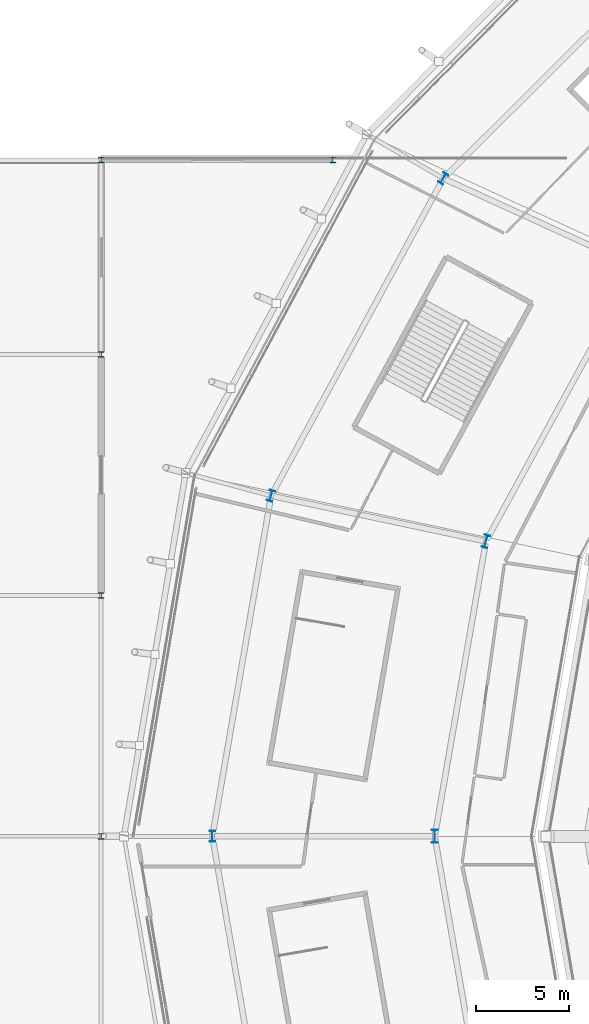
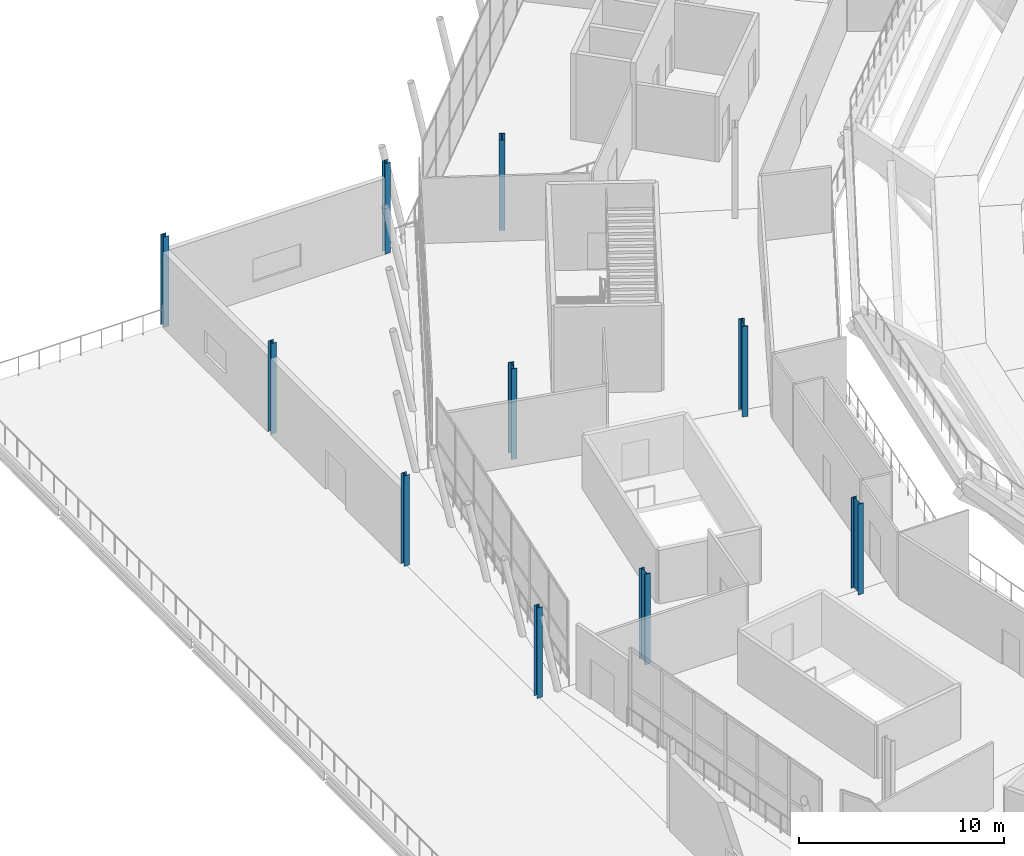
# One storey, part 5 of 126: 10 columns.
"""IFC4 building model written with IfcOpenShell, lengths in metres."""

from ifc_helpers import new_model, si_unit, direction, frame, origin, origin_2d, place, context, subcontext, project, spatial, i_section, extrude, material, material_profile, profile_set, type_object, element, save


model = new_model("IFC4")

# Units and contexts
model_context = context("Model", 3, precision=1e-05, world=origin(), true_north=direction((0.0, 1.0)))
body_context = subcontext(model_context, "Body", "Model", "MODEL_VIEW")
ifc_project = project(units=[si_unit("LENGTHUNIT", "METRE"), si_unit("AREAUNIT", "SQUARE_METRE"), si_unit("VOLUMEUNIT", "CUBIC_METRE"), si_unit("PLANEANGLEUNIT", "RADIAN"), si_unit("MASSUNIT", "GRAM", prefix="KILO")], contexts=[model_context])

# Site, building, storey
site_placement = place(None, origin())
site = spatial("IfcSite", under=ifc_project, at=site_placement, CompositionType="ELEMENT")
building_placement = place(site_placement, origin())
building = spatial("IfcBuilding", under=site, at=building_placement, Name="Zlatoyarsky Gate Stadium", CompositionType="ELEMENT")
storey_placement = place(building_placement, frame((0.0, 0.0, 20.800048828125)))
storey = spatial("IfcBuildingStorey", under=building, at=storey_placement, Name="L04", CompositionType="ELEMENT", Elevation=20.800048828125)

# Columns
ifc_material = material(Name="Steel S355", Category="steel")
ifc_material_profile_1 = material_profile(ifc_material, i_section(OverallWidth=0.300048828125, OverallDepth=0.300048828125, WebThickness=0.010986328125, FlangeThickness=0.01904296875, FilletRadius=0.027099609375, at=origin_2d()), Name="HEB 300")
ifc_profile_set_1 = profile_set([ifc_material_profile_1], Name="Steel S355")
column_type_1 = type_object("IfcColumnType", Name="STEEL COLUMN HEB 300", PredefinedType="COLUMN", material=ifc_profile_set_1)
for number, where, z_axis, x_axis, name in (
    (1, (12.0, 80.0, 0.0), (0.0, 0.0, 1.0), (1.0, 0.0, 0.0), "Column ST-C300 WG-2-H on L04"),
    (2, (12.0, 93.0, 0.0), (0.0, 0.0, 1.0), (1.0, 0.0, 0.0), "Column ST-C300 WG-2-J on L04"),
    (3, (12.0, 106.0, 0.0), (0.0, 0.0, 1.0), (1.0, 0.0, 0.0), "Column ST-C300 WG-2-K on L04"),
    (4, (12.0, 116.5, 0.0), (0.0, 0.0, 1.0), (1.0, 0.0, 0.0), "Column ST-C300 WG-2-L on L04"),
    (5, (24.5, 116.5, 0.0), (0.0, 0.0, 1.0), (1.0, 0.0, 0.0), "Column ST-C300 WG-3-L on L04"),
):
    element("IfcColumn", number, at=place(storey_placement, frame(where, z_axis=z_axis, x_axis=x_axis)), inside=storey, type_object=column_type_1, Name=name, PredefinedType="COLUMN", context=body_context, shape_type="SweptSolid", body=[
        extrude(i_section(OverallWidth=0.300048828125, OverallDepth=0.300048828125, WebThickness=0.010986328125, FlangeThickness=0.01904296875, FilletRadius=0.027099609375, at=origin_2d()), origin(), (0.0, 0.0, 1.0), 5.39990234375),
    ])
ifc_material_profile_2 = material_profile(ifc_material, i_section(OverallWidth=0.300048828125, OverallDepth=0.60009765625, WebThickness=0.015380859375, FlangeThickness=0.030029296875, FilletRadius=0.027099609375, at=origin_2d()), Name="HEB 600")
ifc_profile_set_2 = profile_set([ifc_material_profile_2], Name="Steel S355")
column_type_2 = type_object("IfcColumnType", Name="STEEL COLUMN HEB 600", PredefinedType="COLUMN", material=ifc_profile_set_2)
for number, where, z_axis, x_axis, name in (
    (6, (30.459716796875, 115.5, 0.0), (0.0, 0.0, 1.0), (-0.866025403784, 0.5, 0.0), "Column ST-C600 RC-10 on L04"),
    (7, (21.1689453125, 98.376220703125, 0.0), (0.0, 0.0, 1.0), (-0.965925826289, 0.258819045103, 0.0), "Column ST-C600 RC-11 on L04"),
    (8, (18.0, 80.0, 0.0), (0.0, 0.0, 1.0), (-1.0, 0.0, 0.0), "Column ST-C600 RC-12 on L04"),
):
    element("IfcColumn", number, at=place(storey_placement, frame(where, z_axis=z_axis, x_axis=x_axis)), inside=storey, type_object=column_type_2, Name=name, PredefinedType="COLUMN", context=body_context, shape_type="SweptSolid", body=[
        extrude(i_section(OverallWidth=0.300048828125, OverallDepth=0.60009765625, WebThickness=0.015380859375, FlangeThickness=0.030029296875, FilletRadius=0.027099609375, at=origin_2d()), origin(), (0.0, 0.0, 1.0), 5.39990234375),
    ])
ifc_material_profile_3 = material_profile(ifc_material, i_section(OverallWidth=0.300048828125, OverallDepth=0.699951171875, WebThickness=0.01708984375, FlangeThickness=0.031982421875, FilletRadius=0.027099609375, at=origin_2d()), Name="HEB 700")
ifc_profile_set_3 = profile_set([ifc_material_profile_3], Name="Steel S355")
column_type_3 = type_object("IfcColumnType", Name="STEEL COLUMN HEB 700", PredefinedType="COLUMN", material=ifc_profile_set_3)
for number, where, z_axis, x_axis, name in (
    (9, (32.760009765625, 95.91748046875, 0.0), (0.0, 0.0, 1.0), (-0.965925826289, 0.258819045103, 0.0), "Column ST-C700 RB-11 on L04"),
    (10, (30.0, 80.0, 0.0), (0.0, 0.0, 1.0), (-1.0, 0.0, 0.0), "Column ST-C700 RB-12 on L04"),
):
    element("IfcColumn", number, at=place(storey_placement, frame(where, z_axis=z_axis, x_axis=x_axis)), inside=storey, type_object=column_type_3, Name=name, PredefinedType="COLUMN", context=body_context, shape_type="SweptSolid", body=[
        extrude(i_section(OverallWidth=0.300048828125, OverallDepth=0.699951171875, WebThickness=0.01708984375, FlangeThickness=0.031982421875, FilletRadius=0.027099609375, at=origin_2d()), origin(), (0.0, 0.0, 1.0), 5.39990234375),
    ])

save(model, "model.ifc")
